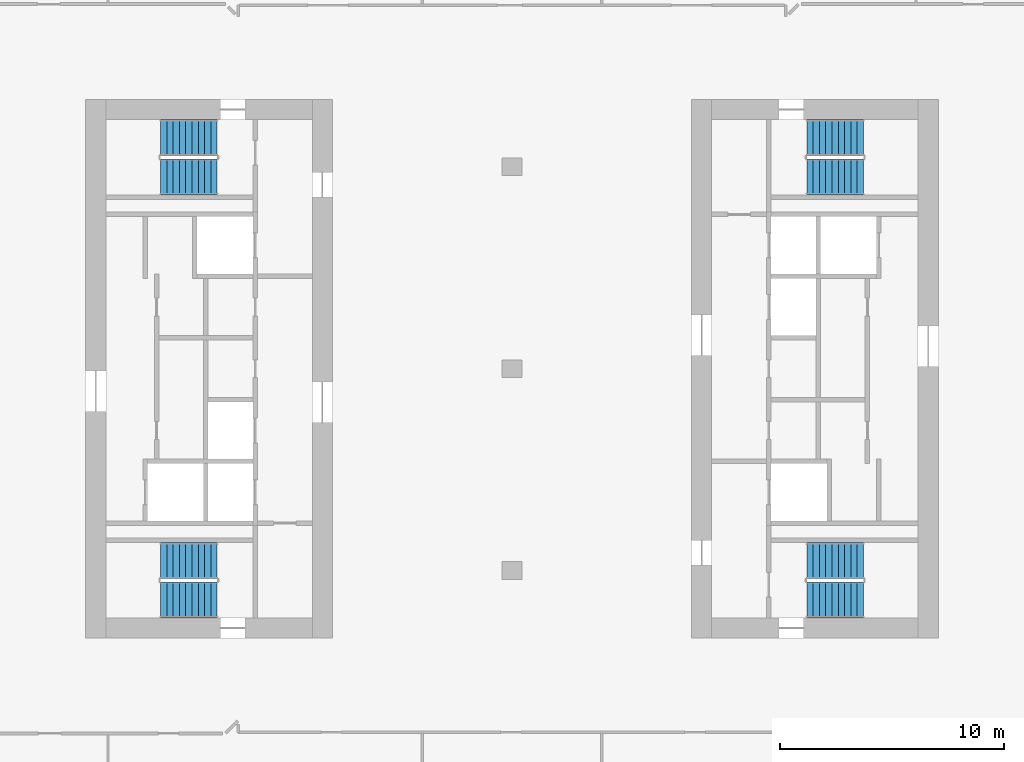
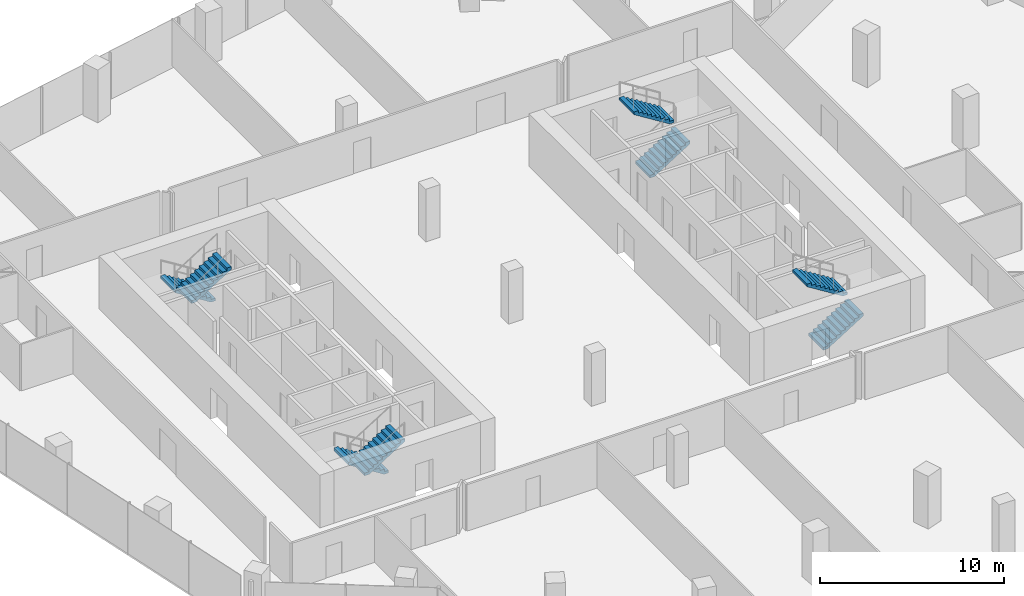
# One storey, part 21 of 24: 8 stair flights, 4 elements without a shape of their own.
"""IFC4 building model written with IfcOpenShell, lengths in metres."""

from ifc_helpers import new_model, si_unit, direction, frame, origin, place, context, subcontext, project, spatial, polyline, outline, extrude, material, type_object, element, aggregate, save


model = new_model("IFC4")

# Units and contexts
model_context = context("Model", 3, precision=1e-05, world=origin(), true_north=direction((0.0, 1.0)))
body_context = subcontext(model_context, "Body", "Model", "MODEL_VIEW")
ifc_project = project(units=[si_unit("LENGTHUNIT", "METRE"), si_unit("AREAUNIT", "SQUARE_METRE"), si_unit("VOLUMEUNIT", "CUBIC_METRE"), si_unit("PLANEANGLEUNIT", "RADIAN"), si_unit("MASSUNIT", "GRAM", prefix="KILO")], contexts=[model_context])

# Site, building, storey
site_placement = place(None, origin())
site = spatial("IfcSite", under=ifc_project, at=site_placement, CompositionType="ELEMENT")
building_placement = place(site_placement, origin())
building = spatial("IfcBuilding", under=site, at=building_placement, Name="Orlundy Tower", CompositionType="ELEMENT")
storey_placement = place(building_placement, frame((0.0, 0.0, 239.0)))
storey = spatial("IfcBuildingStorey", under=building, at=storey_placement, Name="L63", CompositionType="ELEMENT", Elevation=239.0)

# Stair, stair flights
ifc_material_1 = material(Name="Concrete C50/60", Category="concrete")
stair_type = type_object("IfcStairType", Name="Exit Stair 20 risers", PredefinedType="HALF_TURN_STAIR", material=ifc_material_1)
stair_1_placement = place(storey_placement, origin())
stair_1 = element("IfcStair", 1, at=stair_1_placement, inside=storey, type_object=stair_type, Name="L63 Exit Stair ST-W1", PredefinedType="HALF_TURN_STAIR")
ifc_material_2 = material(Name="Concrete C50/60", Category="concrete")
stair_flight_type = type_object("IfcStairFlightType", Name="Stair Flight 10 risers", PredefinedType="STRAIGHT", material=ifc_material_2)
stair_flight_1_placement = place(storey_placement, frame((-13.139892578125, 10.300048828125, 0.0), z_axis=(0.0, 0.0, 1.0), x_axis=(-1.0, 0.0, 0.0)))
stair_flight_1 = element("IfcStairFlight", 2, at=stair_flight_1_placement, type_object=stair_flight_type, Name="ST-W1 flight 1", NumberOfRisers=10, NumberOfTreads=9, PredefinedType="STRAIGHT", RiserHeight=0.175, TreadLength=0.28, context=body_context, shape_type="SweptSolid", body=[
    extrude(outline(polyline([(0.0, 0.0), (0.0, 0.175048828125), (0.280029296875, 0.175048828125), (0.280029296875, 0.35009765625), (0.56005859375, 0.35009765625), (0.56005859375, 0.52490234375), (0.840087890625, 0.52490234375), (0.840087890625, 0.699951171875), (1.1201171875, 0.699951171875), (1.1201171875, 0.875), (1.39990234375, 0.875), (1.39990234375, 1.050048828125), (1.679931640625, 1.050048828125), (1.679931640625, 1.22509765625), (1.9599609375, 1.22509765625), (1.9599609375, 1.39990234375), (2.239990234375, 1.39990234375), (2.239990234375, 1.574951171875), (2.52001953125, 1.574951171875), (2.52001953125, 1.75), (2.52001953125, 1.398193359375), (0.28271484375, 0.0), (0.0, 0.0)])), frame((0.0, 0.800048828125, 0.0), z_axis=(0.0, -1.0, 0.0), x_axis=(1.0, 0.0, 0.0)), (0.0, 0.0, 1.0), 1.60009765625),
])
stair_flight_2_placement = place(storey_placement, frame((-15.659912109375, 8.550048828125, 1.75), z_axis=(0.0, 0.0, 1.0), x_axis=(1.0, 0.0, 0.0)))
stair_flight_2 = element("IfcStairFlight", 3, at=stair_flight_2_placement, type_object=stair_flight_type, Name="ST-W1 flight 2", NumberOfRisers=10, NumberOfTreads=9, PredefinedType="STRAIGHT", RiserHeight=0.175, TreadLength=0.28, context=body_context, shape_type="SweptSolid", body=[
    extrude(outline(polyline([(0.0, 0.0), (0.0, 0.175048828125), (0.280029296875, 0.175048828125), (0.280029296875, 0.35009765625), (0.56005859375, 0.35009765625), (0.56005859375, 0.52490234375), (0.840087890625, 0.52490234375), (0.840087890625, 0.699951171875), (1.1201171875, 0.699951171875), (1.1201171875, 0.875), (1.39990234375, 0.875), (1.39990234375, 1.050048828125), (1.679931640625, 1.050048828125), (1.679931640625, 1.22509765625), (1.9599609375, 1.22509765625), (1.9599609375, 1.39990234375), (2.239990234375, 1.39990234375), (2.239990234375, 1.574951171875), (2.52001953125, 1.574951171875), (2.52001953125, 1.75), (2.52001953125, 1.398193359375), (0.28271484375, 0.0), (0.0, 0.0)])), frame((0.0, 0.800048828125, 0.0), z_axis=(0.0, -1.0, 0.0), x_axis=(1.0, 0.0, 0.0)), (0.0, 0.0, 1.0), 1.60009765625),
])
aggregate(stair_1, [stair_flight_1, stair_flight_2])

stair_2_placement = place(storey_placement, origin())
stair_2 = element("IfcStair", 4, at=stair_2_placement, inside=storey, type_object=stair_type, Name="L63 Exit Stair ST-W2", PredefinedType="HALF_TURN_STAIR")
stair_flight_3_placement = place(storey_placement, frame((-13.139892578125, -8.550048828125, 0.0), z_axis=(0.0, 0.0, 1.0), x_axis=(-1.0, 0.0, 0.0)))
stair_flight_3 = element("IfcStairFlight", 5, at=stair_flight_3_placement, type_object=stair_flight_type, Name="ST-W2 flight 1", NumberOfRisers=10, NumberOfTreads=9, PredefinedType="STRAIGHT", RiserHeight=0.175, TreadLength=0.28, context=body_context, shape_type="SweptSolid", body=[
    extrude(outline(polyline([(0.0, 0.0), (0.0, 0.175048828125), (0.280029296875, 0.175048828125), (0.280029296875, 0.35009765625), (0.56005859375, 0.35009765625), (0.56005859375, 0.52490234375), (0.840087890625, 0.52490234375), (0.840087890625, 0.699951171875), (1.1201171875, 0.699951171875), (1.1201171875, 0.875), (1.39990234375, 0.875), (1.39990234375, 1.050048828125), (1.679931640625, 1.050048828125), (1.679931640625, 1.22509765625), (1.9599609375, 1.22509765625), (1.9599609375, 1.39990234375), (2.239990234375, 1.39990234375), (2.239990234375, 1.574951171875), (2.52001953125, 1.574951171875), (2.52001953125, 1.75), (2.52001953125, 1.398193359375), (0.28271484375, 0.0), (0.0, 0.0)])), frame((0.0, 0.800048828125, 0.0), z_axis=(0.0, -1.0, 0.0), x_axis=(1.0, 0.0, 0.0)), (0.0, 0.0, 1.0), 1.60009765625),
])
stair_flight_4_placement = place(storey_placement, frame((-15.659912109375, -10.300048828125, 1.75), z_axis=(0.0, 0.0, 1.0), x_axis=(1.0, 0.0, 0.0)))
stair_flight_4 = element("IfcStairFlight", 6, at=stair_flight_4_placement, type_object=stair_flight_type, Name="ST-W2 flight 2", NumberOfRisers=10, NumberOfTreads=9, PredefinedType="STRAIGHT", RiserHeight=0.175, TreadLength=0.28, context=body_context, shape_type="SweptSolid", body=[
    extrude(outline(polyline([(0.0, 0.0), (0.0, 0.175048828125), (0.280029296875, 0.175048828125), (0.280029296875, 0.35009765625), (0.56005859375, 0.35009765625), (0.56005859375, 0.52490234375), (0.840087890625, 0.52490234375), (0.840087890625, 0.699951171875), (1.1201171875, 0.699951171875), (1.1201171875, 0.875), (1.39990234375, 0.875), (1.39990234375, 1.050048828125), (1.679931640625, 1.050048828125), (1.679931640625, 1.22509765625), (1.9599609375, 1.22509765625), (1.9599609375, 1.39990234375), (2.239990234375, 1.39990234375), (2.239990234375, 1.574951171875), (2.52001953125, 1.574951171875), (2.52001953125, 1.75), (2.52001953125, 1.398193359375), (0.28271484375, 0.0), (0.0, 0.0)])), frame((0.0, 0.800048828125, 0.0), z_axis=(0.0, -1.0, 0.0), x_axis=(1.0, 0.0, 0.0)), (0.0, 0.0, 1.0), 1.60009765625),
])
aggregate(stair_2, [stair_flight_3, stair_flight_4])

stair_3_placement = place(storey_placement, origin())
stair_3 = element("IfcStair", 7, at=stair_3_placement, inside=storey, type_object=stair_type, Name="L63 Exit Stair ST-E1", PredefinedType="HALF_TURN_STAIR")
stair_flight_5_placement = place(storey_placement, frame((13.139892578125, -10.300048828125, 0.0), z_axis=(0.0, 0.0, 1.0), x_axis=(1.0, 0.0, 0.0)))
stair_flight_5 = element("IfcStairFlight", 8, at=stair_flight_5_placement, type_object=stair_flight_type, Name="ST-E1 flight 1", NumberOfRisers=10, NumberOfTreads=9, PredefinedType="STRAIGHT", RiserHeight=0.175, TreadLength=0.28, context=body_context, shape_type="SweptSolid", body=[
    extrude(outline(polyline([(0.0, 0.0), (0.0, 0.175048828125), (0.280029296875, 0.175048828125), (0.280029296875, 0.35009765625), (0.56005859375, 0.35009765625), (0.56005859375, 0.52490234375), (0.840087890625, 0.52490234375), (0.840087890625, 0.699951171875), (1.1201171875, 0.699951171875), (1.1201171875, 0.875), (1.39990234375, 0.875), (1.39990234375, 1.050048828125), (1.679931640625, 1.050048828125), (1.679931640625, 1.22509765625), (1.9599609375, 1.22509765625), (1.9599609375, 1.39990234375), (2.239990234375, 1.39990234375), (2.239990234375, 1.574951171875), (2.52001953125, 1.574951171875), (2.52001953125, 1.75), (2.52001953125, 1.398193359375), (0.28271484375, 0.0), (0.0, 0.0)])), frame((0.0, 0.800048828125, 0.0), z_axis=(0.0, -1.0, 0.0), x_axis=(1.0, 0.0, 0.0)), (0.0, 0.0, 1.0), 1.60009765625),
])
stair_flight_6_placement = place(storey_placement, frame((15.659912109375, -8.550048828125, 1.75), z_axis=(0.0, 0.0, 1.0), x_axis=(-1.0, 0.0, 0.0)))
stair_flight_6 = element("IfcStairFlight", 9, at=stair_flight_6_placement, type_object=stair_flight_type, Name="ST-E1 flight 2", NumberOfRisers=10, NumberOfTreads=9, PredefinedType="STRAIGHT", RiserHeight=0.175, TreadLength=0.28, context=body_context, shape_type="SweptSolid", body=[
    extrude(outline(polyline([(0.0, 0.0), (0.0, 0.175048828125), (0.280029296875, 0.175048828125), (0.280029296875, 0.35009765625), (0.56005859375, 0.35009765625), (0.56005859375, 0.52490234375), (0.840087890625, 0.52490234375), (0.840087890625, 0.699951171875), (1.1201171875, 0.699951171875), (1.1201171875, 0.875), (1.39990234375, 0.875), (1.39990234375, 1.050048828125), (1.679931640625, 1.050048828125), (1.679931640625, 1.22509765625), (1.9599609375, 1.22509765625), (1.9599609375, 1.39990234375), (2.239990234375, 1.39990234375), (2.239990234375, 1.574951171875), (2.52001953125, 1.574951171875), (2.52001953125, 1.75), (2.52001953125, 1.398193359375), (0.28271484375, 0.0), (0.0, 0.0)])), frame((0.0, 0.800048828125, 0.0), z_axis=(0.0, -1.0, 0.0), x_axis=(1.0, 0.0, 0.0)), (0.0, 0.0, 1.0), 1.60009765625),
])
aggregate(stair_3, [stair_flight_5, stair_flight_6])

stair_4_placement = place(storey_placement, origin())
stair_4 = element("IfcStair", 10, at=stair_4_placement, inside=storey, type_object=stair_type, Name="L63 Exit Stair ST-E2", PredefinedType="HALF_TURN_STAIR")
stair_flight_7_placement = place(storey_placement, frame((13.139892578125, 8.550048828125, 0.0), z_axis=(0.0, 0.0, 1.0), x_axis=(1.0, 0.0, 0.0)))
stair_flight_7 = element("IfcStairFlight", 11, at=stair_flight_7_placement, type_object=stair_flight_type, Name="ST-E2 flight 1", NumberOfRisers=10, NumberOfTreads=9, PredefinedType="STRAIGHT", RiserHeight=0.175, TreadLength=0.28, context=body_context, shape_type="SweptSolid", body=[
    extrude(outline(polyline([(0.0, 0.0), (0.0, 0.175048828125), (0.280029296875, 0.175048828125), (0.280029296875, 0.35009765625), (0.56005859375, 0.35009765625), (0.56005859375, 0.52490234375), (0.840087890625, 0.52490234375), (0.840087890625, 0.699951171875), (1.1201171875, 0.699951171875), (1.1201171875, 0.875), (1.39990234375, 0.875), (1.39990234375, 1.050048828125), (1.679931640625, 1.050048828125), (1.679931640625, 1.22509765625), (1.9599609375, 1.22509765625), (1.9599609375, 1.39990234375), (2.239990234375, 1.39990234375), (2.239990234375, 1.574951171875), (2.52001953125, 1.574951171875), (2.52001953125, 1.75), (2.52001953125, 1.398193359375), (0.28271484375, 0.0), (0.0, 0.0)])), frame((0.0, 0.800048828125, 0.0), z_axis=(0.0, -1.0, 0.0), x_axis=(1.0, 0.0, 0.0)), (0.0, 0.0, 1.0), 1.60009765625),
])
stair_flight_8_placement = place(storey_placement, frame((15.659912109375, 10.300048828125, 1.75), z_axis=(0.0, 0.0, 1.0), x_axis=(-1.0, 0.0, 0.0)))
stair_flight_8 = element("IfcStairFlight", 12, at=stair_flight_8_placement, type_object=stair_flight_type, Name="ST-E2 flight 2", NumberOfRisers=10, NumberOfTreads=9, PredefinedType="STRAIGHT", RiserHeight=0.175, TreadLength=0.28, context=body_context, shape_type="SweptSolid", body=[
    extrude(outline(polyline([(0.0, 0.0), (0.0, 0.175048828125), (0.280029296875, 0.175048828125), (0.280029296875, 0.35009765625), (0.56005859375, 0.35009765625), (0.56005859375, 0.52490234375), (0.840087890625, 0.52490234375), (0.840087890625, 0.699951171875), (1.1201171875, 0.699951171875), (1.1201171875, 0.875), (1.39990234375, 0.875), (1.39990234375, 1.050048828125), (1.679931640625, 1.050048828125), (1.679931640625, 1.22509765625), (1.9599609375, 1.22509765625), (1.9599609375, 1.39990234375), (2.239990234375, 1.39990234375), (2.239990234375, 1.574951171875), (2.52001953125, 1.574951171875), (2.52001953125, 1.75), (2.52001953125, 1.398193359375), (0.28271484375, 0.0), (0.0, 0.0)])), frame((0.0, 0.800048828125, 0.0), z_axis=(0.0, -1.0, 0.0), x_axis=(1.0, 0.0, 0.0)), (0.0, 0.0, 1.0), 1.60009765625),
])
aggregate(stair_4, [stair_flight_7, stair_flight_8])

save(model, "model.ifc")
